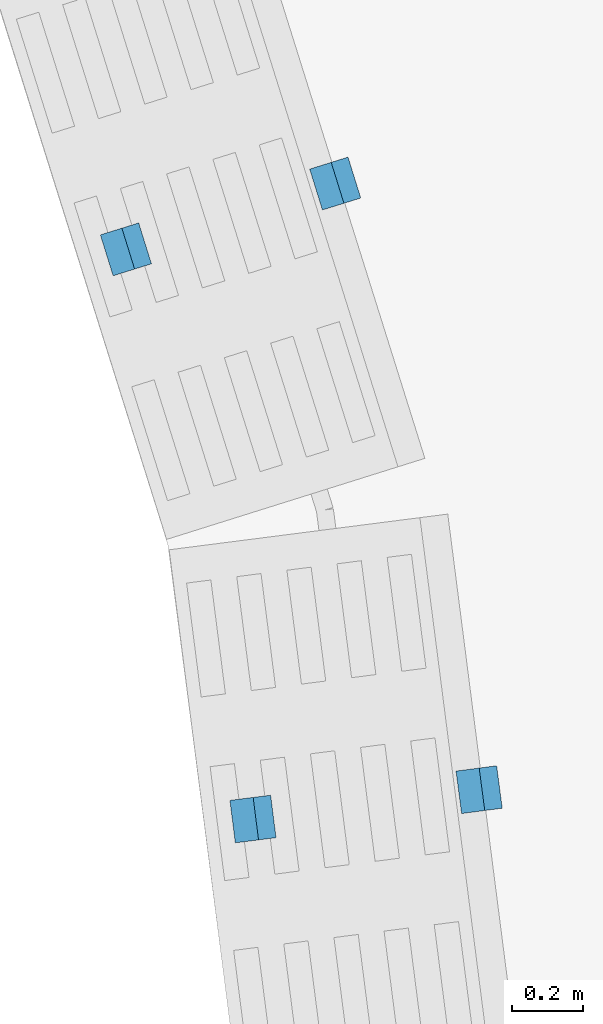
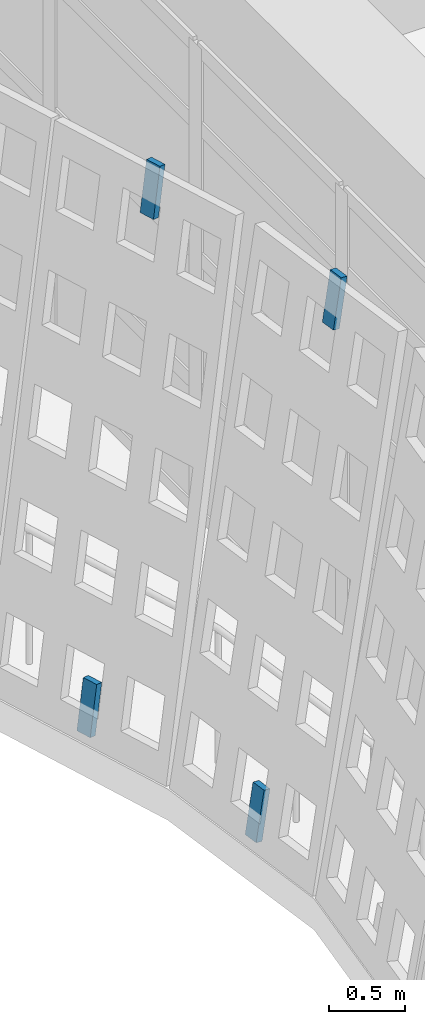
# One storey, part 54 of 85: 4 discrete accessories.
"""IFC4 building model written with IfcOpenShell, lengths in metres."""

import ifcopenshell
import ifcopenshell.guid

model = None  # the IFC model being written
_history = None  # IfcOwnerHistory: only IFC2X3 demands one
_inside = {}  # id of a spatial element -> (the spatial element, [elements in it])
_under = {}  # id of a project, library or spatial element -> (it, [spatial elements below it])
_declared = {}  # id of a project -> (the project, [libraries it declares])
_typed = {}  # id of a type object -> (the type object, [elements of that type])
_made_of = {}  # id of a material, layer set ... -> (it, [elements and type objects made of it])


def new_model(schema):
    """Start an empty IFC model of exactly this schema.

    Asked for "IFC4X3", IfcOpenShell would pick the latest addendum, in which some entities
    have other attributes; the version numbers below select the first issue.
    IFC2X3 requires an IfcOwnerHistory on every rooted entity: one is made here for all.
    """
    global model, _history
    if schema == "IFC4X3":
        model = ifcopenshell.file(schema_version=(4, 3, 0, 0))
    else:
        model = ifcopenshell.file(schema=schema)
    _inside.clear()
    _under.clear()
    _declared.clear()
    _typed.clear()
    _made_of.clear()
    _history = None
    if model.schema == "IFC2X3":
        org = make("IfcOrganization", Name="unknown")
        user = make(
            "IfcPersonAndOrganization",
            ThePerson=make("IfcPerson", FamilyName="unknown"),
            TheOrganization=org,
        )
        app = make(
            "IfcApplication",
            ApplicationDeveloper=org,
            Version="unknown",
            ApplicationFullName="unknown",
            ApplicationIdentifier="unknown",
        )
        _history = make(
            "IfcOwnerHistory",
            OwningUser=user,
            OwningApplication=app,
            ChangeAction="ADDED",
            CreationDate=0,
        )
    return model


def make(cls, **values):
    """One entity of the class cls with the attributes given. An attribute that is None is left unset."""
    return model.create_entity(
        cls, **{name: value for name, value in values.items() if value is not None}
    )


def rooted(cls, **values):
    """An entity with a GlobalId (a new one), such as an element, a storey or a relation."""
    return make(cls, GlobalId=ifcopenshell.guid.new(), OwnerHistory=_history, **values)


def si_unit(unit_type, name, prefix=None):
    """IfcSIUnit, for example si_unit("LENGTHUNIT", "METRE", prefix="MILLI")."""
    return make("IfcSIUnit", UnitType=unit_type, Prefix=prefix, Name=name)


def assignment(units):
    """IfcUnitAssignment: the units of a project."""
    return None if units is None else make("IfcUnitAssignment", Units=units)


def point(xyz):
    """IfcCartesianPoint."""
    return None if xyz is None else make("IfcCartesianPoint", Coordinates=xyz)


def direction(xyz):
    """IfcDirection."""
    return None if xyz is None else make("IfcDirection", DirectionRatios=xyz)


def frame(location, z_axis=None, x_axis=None):
    """IfcAxis2Placement3D, a coordinate frame: its origin and axes. An axis left out is left unset."""
    return make(
        "IfcAxis2Placement3D",
        Location=point(location),
        Axis=direction(z_axis),
        RefDirection=direction(x_axis),
    )


def frame_2d(location, x_axis=None):
    """IfcAxis2Placement2D, a coordinate frame in the plane: its origin and x axis."""
    return make(
        "IfcAxis2Placement2D", Location=point(location), RefDirection=direction(x_axis)
    )


def origin():
    """The frame at (0, 0, 0) with its axes left unset."""
    return frame((0.0, 0.0, 0.0))


def origin_2d():
    """The frame at (0, 0) in the plane with its x axis left unset."""
    return frame_2d((0.0, 0.0))


def place(relative_to, where):
    """IfcLocalPlacement: puts the frame where relative to a parent placement (None: the world)."""
    return make(
        "IfcLocalPlacement", PlacementRelTo=relative_to, RelativePlacement=where
    )


def context(
    kind, dimensions, precision=None, world=None, true_north=None, identifier=None
):
    """IfcGeometricRepresentationContext, for example the 3D "Model" context."""
    return make(
        "IfcGeometricRepresentationContext",
        ContextIdentifier=identifier,
        ContextType=kind,
        CoordinateSpaceDimension=dimensions,
        Precision=precision,
        WorldCoordinateSystem=world,
        TrueNorth=true_north,
    )


def subcontext(parent, identifier, kind, view, scale=None):
    """IfcGeometricRepresentationSubContext, for example "Body" below "Model"."""
    return make(
        "IfcGeometricRepresentationSubContext",
        ContextIdentifier=identifier,
        ContextType=kind,
        ParentContext=parent,
        TargetScale=scale,
        TargetView=view,
    )


def project(units=None, contexts=None):
    """IfcProject with its units and contexts."""
    return rooted(
        "IfcProject",
        Name="project",
        RepresentationContexts=contexts,
        UnitsInContext=assignment(units),
    )


def spatial(cls, under=None, at=None, **own):
    """A site, building, storey or space (cls), placed at a placement, below another one or the project."""
    s = rooted(cls, ObjectPlacement=at, **own)
    if under is not None:
        _under.setdefault(under.id(), (under, []))[1].append(s)
    return s


def profile(cls, at=None, kind="AREA", **sizes):
    """A parametric profile (cls). Its sizes go by their IFC names, for example OverallWidth=200.0."""
    return make(cls, ProfileType=kind, Position=at, **sizes)


def rectangle(**sizes):
    """IfcRectangleProfileDef."""
    return profile("IfcRectangleProfileDef", **sizes)


def extrude(swept, where, along, depth):
    """IfcExtrudedAreaSolid: the profile swept, set in the frame where, extruded along a direction by depth."""
    return make(
        "IfcExtrudedAreaSolid",
        SweptArea=swept,
        Position=where,
        ExtrudedDirection=direction(along),
        Depth=depth,
    )


def shape(context_of_items, identifier, shape_type, items):
    """IfcShapeRepresentation: the items that make up one representation, for example the "Body"."""
    return make(
        "IfcShapeRepresentation",
        ContextOfItems=context_of_items,
        RepresentationIdentifier=identifier,
        RepresentationType=shape_type,
        Items=items,
    )


def material(Name=None, Category=None):
    """IfcMaterial."""
    return make("IfcMaterial", Name=Name, Category=Category)


def material_profile(
    of_material, cross_section, Name=None, Category=None, Priority=None
):
    """IfcMaterialProfile: a cross section and its material."""
    return make(
        "IfcMaterialProfile",
        Name=Name,
        Material=of_material,
        Profile=cross_section,
        Priority=Priority,
        Category=Category,
    )


def profile_set(profiles, Name=None, composite=None):
    """IfcMaterialProfileSet."""
    return make(
        "IfcMaterialProfileSet",
        Name=Name,
        MaterialProfiles=profiles,
        CompositeProfile=composite,
    )


def made_of(thing, what):
    """Note that an element or type object is made of a material, layer set ...; save() writes the relation."""
    if what is not None:
        _made_of.setdefault(what.id(), (what, []))[1].append(thing)
    return thing


def type_object(cls, material=None, **own):
    """A type object (cls), such as IfcWallType, which elements share."""
    return made_of(rooted(cls, **own), material)


def element(
    cls,
    number,
    at=None,
    inside=None,
    cuts=None,
    type_object=None,
    material=None,
    context=None,
    identifier="Body",
    shape_type=None,
    held_by="IfcProductDefinitionShape",
    body=None,
    shapes=None,
    **own,
):
    """One element of the class cls, such as IfcWall. Its Tag is "e" and its number.

    at: its placement. inside: the storey or other place that contains it. cuts: it is an
    opening in that element (IfcRelVoidsElement). A single representation is given by context,
    identifier, shape_type and body (its items); several are given by shapes. held_by: the class
    of the entity that holds the representations. save() writes the other relations.
    """
    e = rooted(cls, Tag="e%d" % number, ObjectPlacement=at, **own)
    if body is not None:
        shapes = [shape(context, identifier, shape_type, body)]
    if shapes is not None:
        e.Representation = make(held_by, Representations=shapes)
    if inside is not None:
        _inside.setdefault(inside.id(), (inside, []))[1].append(e)
    if cuts is not None:
        rooted(
            "IfcRelVoidsElement", RelatingBuildingElement=cuts, RelatedOpeningElement=e
        )
    if type_object is not None:
        _typed.setdefault(type_object.id(), (type_object, []))[1].append(e)
    return made_of(e, material)


def aggregate(whole, parts):
    """IfcRelAggregates: a whole, such as a stair, and the parts it consists of."""
    return rooted("IfcRelAggregates", RelatingObject=whole, RelatedObjects=parts)


def save(model, path):
    """Write the relations noted so far, then the file.

    IfcRelAggregates (storeys below a building ...), IfcRelContainedInSpatialStructure (elements
    in a storey), IfcRelDefinesByType, IfcRelAssociatesMaterial and IfcRelDeclares: one each for
    every whole, place, type object, material and project.
    """
    for whole, parts in _under.values():
        aggregate(whole, parts)
    for where, things in _inside.values():
        rooted(
            "IfcRelContainedInSpatialStructure",
            RelatedElements=things,
            RelatingStructure=where,
        )
    for kind, things in _typed.values():
        rooted("IfcRelDefinesByType", RelatedObjects=things, RelatingType=kind)
    for what, things in _made_of.values():
        rooted("IfcRelAssociatesMaterial", RelatedObjects=things, RelatingMaterial=what)
    for by, libraries in _declared.values():
        rooted("IfcRelDeclares", RelatingContext=by, RelatedDefinitions=libraries)
    model.write(path)


model = new_model("IFC4")

# Units and contexts
model_context = context("Model", 3, precision=1e-05, world=origin(), true_north=direction((0.0, 1.0)))
body_context = subcontext(model_context, "Body", "Model", "MODEL_VIEW")
ifc_project = project(units=[si_unit("LENGTHUNIT", "METRE"), si_unit("AREAUNIT", "SQUARE_METRE"), si_unit("VOLUMEUNIT", "CUBIC_METRE"), si_unit("PLANEANGLEUNIT", "RADIAN"), si_unit("MASSUNIT", "GRAM", prefix="KILO")], contexts=[model_context])

# Site, building, storey
site_placement = place(None, origin())
site = spatial("IfcSite", under=ifc_project, at=site_placement, CompositionType="ELEMENT")
building_placement = place(site_placement, origin())
building = spatial("IfcBuilding", under=site, at=building_placement, Name="Rain Tree Exposition and Congress Centre", CompositionType="ELEMENT")
storey_placement = place(building_placement, frame((0.0, 0.0, 15.0)))
storey = spatial("IfcBuildingStorey", under=building, at=storey_placement, Name="L03", CompositionType="ELEMENT", Elevation=15.0)

# Discrete accessories
ifc_material = material(Name="Steel S355J2", Category="steel")
ifc_material_profile = material_profile(ifc_material, rectangle(XDim=0.1201171875, YDim=0.050048828125, at=origin_2d()), Name="Flat bar 120x50")
ifc_profile_set = profile_set([ifc_material_profile], Name="Steel S355J2")
discrete_accessory_type = type_object("IfcDiscreteAccessoryType", Name="Screen bracket 120x50", PredefinedType="BRACKET", material=ifc_profile_set)
for number, where, z_axis, x_axis, name in (
    (1, (-1.66552734375, 27.778564453125, 3.85107421875), (0.150742588713, 0.04699262887, 0.987455500152), (-0.297614686764, 0.954686073127, 0.0), "wing/bracket/L03/1171t"),
    (2, (-2.252685546875, 27.593994140625, 0.00390625), (0.150742588713, 0.04699262887, 0.987455500152), (-0.297614686764, 0.954686073127, 0.0), "wing/bracket/L03/1171b"),
):
    element("IfcDiscreteAccessory", number, at=place(storey_placement, frame(where, z_axis=z_axis, x_axis=x_axis)), inside=storey, type_object=discrete_accessory_type, Name=name, PredefinedType="BRACKET", context=body_context, shape_type="SweptSolid", body=[
        extrude(rectangle(XDim=0.1201171875, YDim=0.050048828125, at=origin_2d()), origin(), (0.0, 0.0, 1.0), 0.400146484375),
    ])
for number, where, z_axis, x_axis, name in (
    (3, (-1.26416015625, 26.08349609375, 3.851318359375), (0.162381270396, 0.021365956631, 0.986496740452), (-0.130454512571, 0.991454295543, 0.0), "wing/bracket/L03/1181t"),
    (4, (-1.898681640625, 26.001220703125, 0.004150390625), (0.162977636468, 0.020753706516, 0.986411462665), (-0.12632075382, 0.991989449114, 0.0), "wing/bracket/L03/1181b"),
):
    element("IfcDiscreteAccessory", number, at=place(storey_placement, frame(where, z_axis=z_axis, x_axis=x_axis)), inside=storey, type_object=discrete_accessory_type, Name=name, PredefinedType="BRACKET", context=body_context, shape_type="SweptSolid", body=[
        extrude(rectangle(XDim=0.1201171875, YDim=0.050048828125, at=origin_2d()), origin(), (0.0, 0.0, 1.0), 0.39990234375),
    ])

save(model, "model.ifc")
